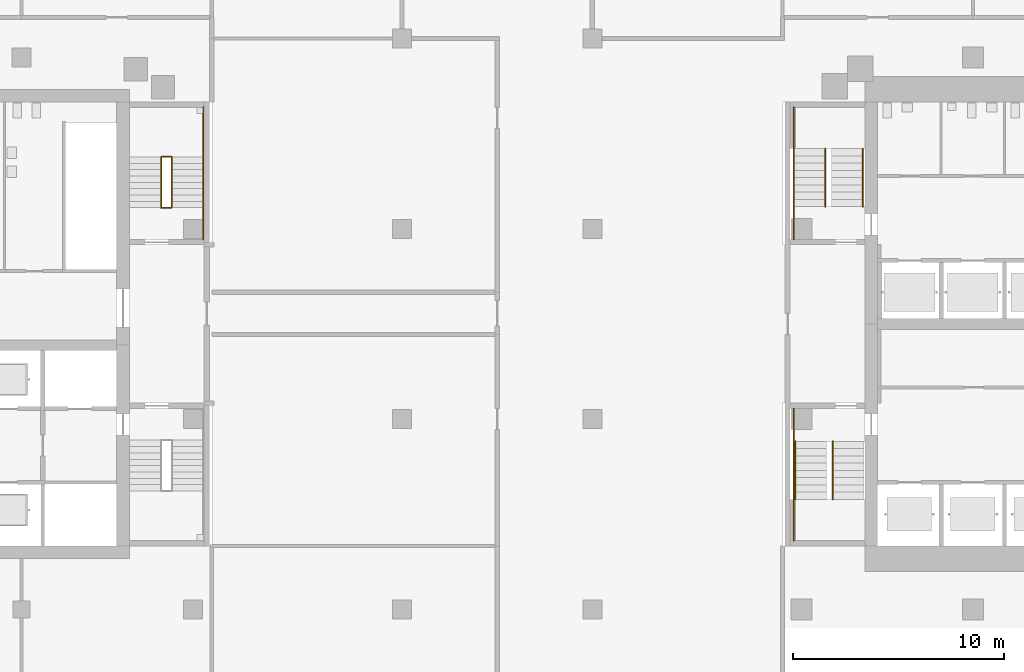
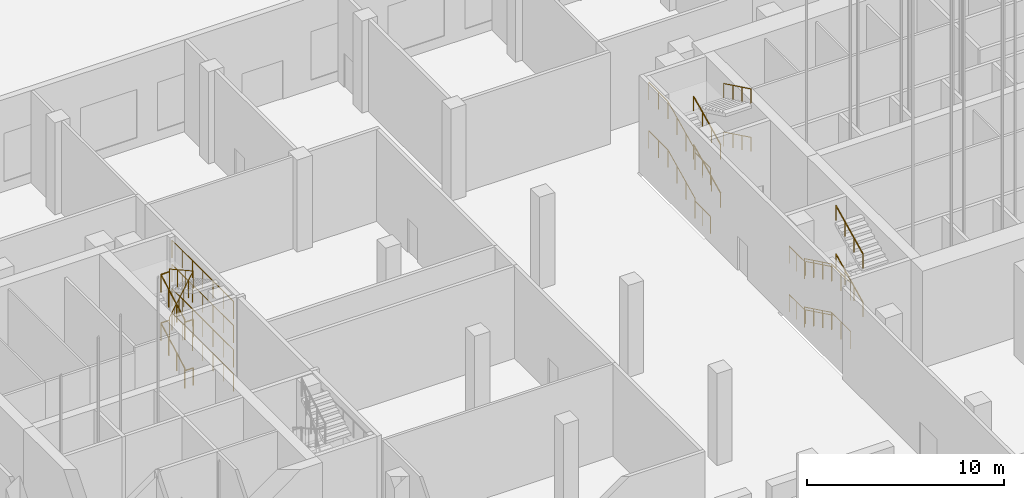
# One storey, part 49 of 55: 24 railings, 2 elements without a shape of their own.
"""IFC4 building model written with IfcOpenShell, lengths in metres."""

import ifcopenshell
import ifcopenshell.guid

model = None  # the IFC model being written
_history = None  # IfcOwnerHistory: only IFC2X3 demands one
_inside = {}  # id of a spatial element -> (the spatial element, [elements in it])
_under = {}  # id of a project, library or spatial element -> (it, [spatial elements below it])
_declared = {}  # id of a project -> (the project, [libraries it declares])
_typed = {}  # id of a type object -> (the type object, [elements of that type])
_made_of = {}  # id of a material, layer set ... -> (it, [elements and type objects made of it])


def new_model(schema):
    """Start an empty IFC model of exactly this schema.

    Asked for "IFC4X3", IfcOpenShell would pick the latest addendum, in which some entities
    have other attributes; the version numbers below select the first issue.
    IFC2X3 requires an IfcOwnerHistory on every rooted entity: one is made here for all.
    """
    global model, _history
    if schema == "IFC4X3":
        model = ifcopenshell.file(schema_version=(4, 3, 0, 0))
    else:
        model = ifcopenshell.file(schema=schema)
    _inside.clear()
    _under.clear()
    _declared.clear()
    _typed.clear()
    _made_of.clear()
    _history = None
    if model.schema == "IFC2X3":
        org = make("IfcOrganization", Name="unknown")
        user = make(
            "IfcPersonAndOrganization",
            ThePerson=make("IfcPerson", FamilyName="unknown"),
            TheOrganization=org,
        )
        app = make(
            "IfcApplication",
            ApplicationDeveloper=org,
            Version="unknown",
            ApplicationFullName="unknown",
            ApplicationIdentifier="unknown",
        )
        _history = make(
            "IfcOwnerHistory",
            OwningUser=user,
            OwningApplication=app,
            ChangeAction="ADDED",
            CreationDate=0,
        )
    return model


def make(cls, **values):
    """One entity of the class cls with the attributes given. An attribute that is None is left unset."""
    return model.create_entity(
        cls, **{name: value for name, value in values.items() if value is not None}
    )


def rooted(cls, **values):
    """An entity with a GlobalId (a new one), such as an element, a storey or a relation."""
    return make(cls, GlobalId=ifcopenshell.guid.new(), OwnerHistory=_history, **values)


def si_unit(unit_type, name, prefix=None):
    """IfcSIUnit, for example si_unit("LENGTHUNIT", "METRE", prefix="MILLI")."""
    return make("IfcSIUnit", UnitType=unit_type, Prefix=prefix, Name=name)


def assignment(units):
    """IfcUnitAssignment: the units of a project."""
    return None if units is None else make("IfcUnitAssignment", Units=units)


def point(xyz):
    """IfcCartesianPoint."""
    return None if xyz is None else make("IfcCartesianPoint", Coordinates=xyz)


def direction(xyz):
    """IfcDirection."""
    return None if xyz is None else make("IfcDirection", DirectionRatios=xyz)


def frame(location, z_axis=None, x_axis=None):
    """IfcAxis2Placement3D, a coordinate frame: its origin and axes. An axis left out is left unset."""
    return make(
        "IfcAxis2Placement3D",
        Location=point(location),
        Axis=direction(z_axis),
        RefDirection=direction(x_axis),
    )


def frame_2d(location, x_axis=None):
    """IfcAxis2Placement2D, a coordinate frame in the plane: its origin and x axis."""
    return make(
        "IfcAxis2Placement2D", Location=point(location), RefDirection=direction(x_axis)
    )


def origin():
    """The frame at (0, 0, 0) with its axes left unset."""
    return frame((0.0, 0.0, 0.0))


def origin_2d():
    """The frame at (0, 0) in the plane with its x axis left unset."""
    return frame_2d((0.0, 0.0))


def place(relative_to, where):
    """IfcLocalPlacement: puts the frame where relative to a parent placement (None: the world)."""
    return make(
        "IfcLocalPlacement", PlacementRelTo=relative_to, RelativePlacement=where
    )


def context(
    kind, dimensions, precision=None, world=None, true_north=None, identifier=None
):
    """IfcGeometricRepresentationContext, for example the 3D "Model" context."""
    return make(
        "IfcGeometricRepresentationContext",
        ContextIdentifier=identifier,
        ContextType=kind,
        CoordinateSpaceDimension=dimensions,
        Precision=precision,
        WorldCoordinateSystem=world,
        TrueNorth=true_north,
    )


def subcontext(parent, identifier, kind, view, scale=None):
    """IfcGeometricRepresentationSubContext, for example "Body" below "Model"."""
    return make(
        "IfcGeometricRepresentationSubContext",
        ContextIdentifier=identifier,
        ContextType=kind,
        ParentContext=parent,
        TargetScale=scale,
        TargetView=view,
    )


def project(units=None, contexts=None):
    """IfcProject with its units and contexts."""
    return rooted(
        "IfcProject",
        Name="project",
        RepresentationContexts=contexts,
        UnitsInContext=assignment(units),
    )


def spatial(cls, under=None, at=None, **own):
    """A site, building, storey or space (cls), placed at a placement, below another one or the project."""
    s = rooted(cls, ObjectPlacement=at, **own)
    if under is not None:
        _under.setdefault(under.id(), (under, []))[1].append(s)
    return s


def profile(cls, at=None, kind="AREA", **sizes):
    """A parametric profile (cls). Its sizes go by their IFC names, for example OverallWidth=200.0."""
    return make(cls, ProfileType=kind, Position=at, **sizes)


def circle(**sizes):
    """IfcCircleProfileDef."""
    return profile("IfcCircleProfileDef", **sizes)


def extrude(swept, where, along, depth):
    """IfcExtrudedAreaSolid: the profile swept, set in the frame where, extruded along a direction by depth."""
    return make(
        "IfcExtrudedAreaSolid",
        SweptArea=swept,
        Position=where,
        ExtrudedDirection=direction(along),
        Depth=depth,
    )


def shape(context_of_items, identifier, shape_type, items):
    """IfcShapeRepresentation: the items that make up one representation, for example the "Body"."""
    return make(
        "IfcShapeRepresentation",
        ContextOfItems=context_of_items,
        RepresentationIdentifier=identifier,
        RepresentationType=shape_type,
        Items=items,
    )


def material(Name=None, Category=None):
    """IfcMaterial."""
    return make("IfcMaterial", Name=Name, Category=Category)


def made_of(thing, what):
    """Note that an element or type object is made of a material, layer set ...; save() writes the relation."""
    if what is not None:
        _made_of.setdefault(what.id(), (what, []))[1].append(thing)
    return thing


def type_object(cls, material=None, **own):
    """A type object (cls), such as IfcWallType, which elements share."""
    return made_of(rooted(cls, **own), material)


def element(
    cls,
    number,
    at=None,
    inside=None,
    cuts=None,
    type_object=None,
    material=None,
    context=None,
    identifier="Body",
    shape_type=None,
    held_by="IfcProductDefinitionShape",
    body=None,
    shapes=None,
    **own,
):
    """One element of the class cls, such as IfcWall. Its Tag is "e" and its number.

    at: its placement. inside: the storey or other place that contains it. cuts: it is an
    opening in that element (IfcRelVoidsElement). A single representation is given by context,
    identifier, shape_type and body (its items); several are given by shapes. held_by: the class
    of the entity that holds the representations. save() writes the other relations.
    """
    e = rooted(cls, Tag="e%d" % number, ObjectPlacement=at, **own)
    if body is not None:
        shapes = [shape(context, identifier, shape_type, body)]
    if shapes is not None:
        e.Representation = make(held_by, Representations=shapes)
    if inside is not None:
        _inside.setdefault(inside.id(), (inside, []))[1].append(e)
    if cuts is not None:
        rooted(
            "IfcRelVoidsElement", RelatingBuildingElement=cuts, RelatedOpeningElement=e
        )
    if type_object is not None:
        _typed.setdefault(type_object.id(), (type_object, []))[1].append(e)
    return made_of(e, material)


def aggregate(whole, parts):
    """IfcRelAggregates: a whole, such as a stair, and the parts it consists of."""
    return rooted("IfcRelAggregates", RelatingObject=whole, RelatedObjects=parts)


def save(model, path):
    """Write the relations noted so far, then the file.

    IfcRelAggregates (storeys below a building ...), IfcRelContainedInSpatialStructure (elements
    in a storey), IfcRelDefinesByType, IfcRelAssociatesMaterial and IfcRelDeclares: one each for
    every whole, place, type object, material and project.
    """
    for whole, parts in _under.values():
        aggregate(whole, parts)
    for where, things in _inside.values():
        rooted(
            "IfcRelContainedInSpatialStructure",
            RelatedElements=things,
            RelatingStructure=where,
        )
    for kind, things in _typed.values():
        rooted("IfcRelDefinesByType", RelatedObjects=things, RelatingType=kind)
    for what, things in _made_of.values():
        rooted("IfcRelAssociatesMaterial", RelatedObjects=things, RelatingMaterial=what)
    for by, libraries in _declared.values():
        rooted("IfcRelDeclares", RelatingContext=by, RelatedDefinitions=libraries)
    model.write(path)


model = new_model("IFC4")

# Units and contexts
model_context = context("Model", 3, precision=1e-05, world=origin(), true_north=direction((0.0, 1.0)))
body_context = subcontext(model_context, "Body", "Model", "MODEL_VIEW")
ifc_project = project(units=[si_unit("LENGTHUNIT", "METRE"), si_unit("AREAUNIT", "SQUARE_METRE"), si_unit("VOLUMEUNIT", "CUBIC_METRE"), si_unit("PLANEANGLEUNIT", "RADIAN"), si_unit("MASSUNIT", "GRAM", prefix="KILO")], contexts=[model_context])

# Site, building, storey
site_placement = place(None, origin())
site = spatial("IfcSite", under=ifc_project, at=site_placement, CompositionType="ELEMENT")
building_placement = place(site_placement, origin())
building = spatial("IfcBuilding", under=site, at=building_placement, Name="Cinnabar Reach Civic Tower", CompositionType="ELEMENT")
storey_placement = place(building_placement, origin())
storey = spatial("IfcBuildingStorey", under=building, at=storey_placement, Name="L00", CompositionType="ELEMENT", Elevation=0.0)

# Stair, railings
ifc_material_1 = material(Name="Concrete C40/50", Category="concrete")
stair_type = type_object("IfcStairType", Name="T1 Exit stair, double return", PredefinedType="DOUBLE_RETURN_STAIR", material=ifc_material_1)
stair_1_placement = place(storey_placement, origin())
stair_1 = element("IfcStair", 1, at=stair_1_placement, inside=storey, type_object=stair_type, Name="Stair T1-S1", PredefinedType="DOUBLE_RETURN_STAIR")
ifc_material_2 = material(Name="Stainless steel tube", Category="steel")
railing_type_1 = type_object("IfcRailingType", Name="T1 Stair handrail, stainless tube 48", PredefinedType="HANDRAIL", material=ifc_material_2)
railing_1_placement = place(storey_placement, frame((0.6, 25.95, 0.1667)))
railing_1 = element("IfcRailing", 2, at=railing_1_placement, type_object=railing_type_1, Name="T1-S1 handrail 1", PredefinedType="HANDRAIL", context=body_context, shape_type="SweptSolid", body=[
    extrude(circle(Radius=0.024, at=origin_2d()), frame((0.0, 0.0, 0.876), z_axis=(0.0, -0.899506318835, 0.43690775042), x_axis=(1.0, 0.0, 0.0)), (0.0, 0.0, 1.0), 3.0517),
    extrude(circle(Radius=0.021, at=origin_2d()), origin(), (0.0, 0.0, 1.0), 0.852),
    extrude(circle(Radius=0.021, at=origin_2d()), frame((0.0, -0.915, 0.4444)), (0.0, 0.0, 1.0), 0.852),
    extrude(circle(Radius=0.021, at=origin_2d()), frame((0.0, -1.83, 0.8889)), (0.0, 0.0, 1.0), 0.852),
    extrude(circle(Radius=0.021, at=origin_2d()), frame((0.0, -2.745, 1.3333)), (0.0, 0.0, 1.0), 0.852),
])
railing_2_placement = place(storey_placement, frame((2.375, 23.205, 1.6667)))
railing_2 = element("IfcRailing", 3, at=railing_2_placement, type_object=railing_type_1, Name="T1-S1 handrail 2", PredefinedType="HANDRAIL", context=body_context, shape_type="SweptSolid", body=[
    extrude(circle(Radius=0.024, at=origin_2d()), frame((0.0, 0.0, 0.876), z_axis=(0.0, 0.899506318835, 0.43690775042), x_axis=(-1.0, 0.0, 0.0)), (0.0, 0.0, 1.0), 3.0517),
    extrude(circle(Radius=0.021, at=origin_2d()), origin(), (0.0, 0.0, 1.0), 0.852),
    extrude(circle(Radius=0.021, at=origin_2d()), frame((0.0, 0.915, 0.4444)), (0.0, 0.0, 1.0), 0.852),
    extrude(circle(Radius=0.021, at=origin_2d()), frame((0.0, 1.83, 0.8889)), (0.0, 0.0, 1.0), 0.852),
    extrude(circle(Radius=0.021, at=origin_2d()), frame((0.0, 2.745, 1.3333)), (0.0, 0.0, 1.0), 0.852),
])
railing_3_placement = place(storey_placement, frame((0.6, 25.95, 3.1667)))
railing_3 = element("IfcRailing", 4, at=railing_3_placement, type_object=railing_type_1, Name="T1-S1 handrail 3", PredefinedType="HANDRAIL", context=body_context, shape_type="SweptSolid", body=[
    extrude(circle(Radius=0.024, at=origin_2d()), frame((0.0, 0.0, 0.876), z_axis=(0.0, -0.899506318835, 0.43690775042), x_axis=(1.0, 0.0, 0.0)), (0.0, 0.0, 1.0), 3.0517),
    extrude(circle(Radius=0.021, at=origin_2d()), origin(), (0.0, 0.0, 1.0), 0.852),
    extrude(circle(Radius=0.021, at=origin_2d()), frame((0.0, -0.915, 0.4444)), (0.0, 0.0, 1.0), 0.852),
    extrude(circle(Radius=0.021, at=origin_2d()), frame((0.0, -1.83, 0.8889)), (0.0, 0.0, 1.0), 0.852),
    extrude(circle(Radius=0.021, at=origin_2d()), frame((0.0, -2.745, 1.3333)), (0.0, 0.0, 1.0), 0.852),
])
railing_4_placement = place(storey_placement, frame((2.375, 23.205, 4.6667)))
railing_4 = element("IfcRailing", 5, at=railing_4_placement, type_object=railing_type_1, Name="T1-S1 handrail 4", PredefinedType="HANDRAIL", context=body_context, shape_type="SweptSolid", body=[
    extrude(circle(Radius=0.024, at=origin_2d()), frame((0.0, 0.0, 0.876), z_axis=(0.0, 0.899506318835, 0.43690775042), x_axis=(-1.0, 0.0, 0.0)), (0.0, 0.0, 1.0), 3.0517),
    extrude(circle(Radius=0.021, at=origin_2d()), origin(), (0.0, 0.0, 1.0), 0.852),
    extrude(circle(Radius=0.021, at=origin_2d()), frame((0.0, 0.915, 0.4444)), (0.0, 0.0, 1.0), 0.852),
    extrude(circle(Radius=0.021, at=origin_2d()), frame((0.0, 1.83, 0.8889)), (0.0, 0.0, 1.0), 0.852),
    extrude(circle(Radius=0.021, at=origin_2d()), frame((0.0, 2.745, 1.3333)), (0.0, 0.0, 1.0), 0.852),
])

stair_2_placement = place(storey_placement, origin())
stair_2 = element("IfcStair", 6, at=stair_2_placement, inside=storey, type_object=stair_type, Name="Stair T1-S2", PredefinedType="DOUBLE_RETURN_STAIR")
railing_5_placement = place(storey_placement, frame((2.025, 37.05, 0.1667)))
railing_5 = element("IfcRailing", 7, at=railing_5_placement, type_object=railing_type_1, Name="T1-S2 handrail 1", PredefinedType="HANDRAIL", context=body_context, shape_type="SweptSolid", body=[
    extrude(circle(Radius=0.024, at=origin_2d()), frame((0.0, 0.0, 0.876), z_axis=(0.0, 0.899506318835, 0.43690775042), x_axis=(-1.0, 0.0, 0.0)), (0.0, 0.0, 1.0), 3.0517),
    extrude(circle(Radius=0.021, at=origin_2d()), origin(), (0.0, 0.0, 1.0), 0.852),
    extrude(circle(Radius=0.021, at=origin_2d()), frame((0.0, 0.915, 0.4444)), (0.0, 0.0, 1.0), 0.852),
    extrude(circle(Radius=0.021, at=origin_2d()), frame((0.0, 1.83, 0.8889)), (0.0, 0.0, 1.0), 0.852),
    extrude(circle(Radius=0.021, at=origin_2d()), frame((0.0, 2.745, 1.3333)), (0.0, 0.0, 1.0), 0.852),
])
railing_6_placement = place(storey_placement, frame((3.8, 39.795, 1.6667)))
railing_6 = element("IfcRailing", 8, at=railing_6_placement, type_object=railing_type_1, Name="T1-S2 handrail 2", PredefinedType="HANDRAIL", context=body_context, shape_type="SweptSolid", body=[
    extrude(circle(Radius=0.024, at=origin_2d()), frame((0.0, 0.0, 0.876), z_axis=(0.0, -0.899506318835, 0.43690775042), x_axis=(1.0, 0.0, 0.0)), (0.0, 0.0, 1.0), 3.0517),
    extrude(circle(Radius=0.021, at=origin_2d()), origin(), (0.0, 0.0, 1.0), 0.852),
    extrude(circle(Radius=0.021, at=origin_2d()), frame((0.0, -0.915, 0.4444)), (0.0, 0.0, 1.0), 0.852),
    extrude(circle(Radius=0.021, at=origin_2d()), frame((0.0, -1.83, 0.8889)), (0.0, 0.0, 1.0), 0.852),
    extrude(circle(Radius=0.021, at=origin_2d()), frame((0.0, -2.745, 1.3333)), (0.0, 0.0, 1.0), 0.852),
])
railing_7_placement = place(storey_placement, frame((2.025, 37.05, 3.1667)))
railing_7 = element("IfcRailing", 9, at=railing_7_placement, type_object=railing_type_1, Name="T1-S2 handrail 3", PredefinedType="HANDRAIL", context=body_context, shape_type="SweptSolid", body=[
    extrude(circle(Radius=0.024, at=origin_2d()), frame((0.0, 0.0, 0.876), z_axis=(0.0, 0.899506318835, 0.43690775042), x_axis=(-1.0, 0.0, 0.0)), (0.0, 0.0, 1.0), 3.0517),
    extrude(circle(Radius=0.021, at=origin_2d()), origin(), (0.0, 0.0, 1.0), 0.852),
    extrude(circle(Radius=0.021, at=origin_2d()), frame((0.0, 0.915, 0.4444)), (0.0, 0.0, 1.0), 0.852),
    extrude(circle(Radius=0.021, at=origin_2d()), frame((0.0, 1.83, 0.8889)), (0.0, 0.0, 1.0), 0.852),
    extrude(circle(Radius=0.021, at=origin_2d()), frame((0.0, 2.745, 1.3333)), (0.0, 0.0, 1.0), 0.852),
])
railing_8_placement = place(storey_placement, frame((3.8, 39.795, 4.6667)))
railing_8 = element("IfcRailing", 10, at=railing_8_placement, type_object=railing_type_1, Name="T1-S2 handrail 4", PredefinedType="HANDRAIL", context=body_context, shape_type="SweptSolid", body=[
    extrude(circle(Radius=0.024, at=origin_2d()), frame((0.0, 0.0, 0.876), z_axis=(0.0, -0.899506318835, 0.43690775042), x_axis=(1.0, 0.0, 0.0)), (0.0, 0.0, 1.0), 3.0517),
    extrude(circle(Radius=0.021, at=origin_2d()), origin(), (0.0, 0.0, 1.0), 0.852),
    extrude(circle(Radius=0.021, at=origin_2d()), frame((0.0, -0.915, 0.4444)), (0.0, 0.0, 1.0), 0.852),
    extrude(circle(Radius=0.021, at=origin_2d()), frame((0.0, -1.83, 0.8889)), (0.0, 0.0, 1.0), 0.852),
    extrude(circle(Radius=0.021, at=origin_2d()), frame((0.0, -2.745, 1.3333)), (0.0, 0.0, 1.0), 0.852),
])

# Railing
ifc_material_3 = material(Name="Stainless steel and laminated glass", Category="steel")
railing_type_2 = type_object("IfcRailingType", Name="T1 stair guard, stainless balustrade 1100", PredefinedType="GUARDRAIL", material=ifc_material_3)
railing_9_placement = place(storey_placement, frame((0.53, 27.5, 0.0)))
railing_9 = element("IfcRailing", 11, at=railing_9_placement, type_object=railing_type_2, Name="T1-S1 guard 1", PredefinedType="GUARDRAIL", context=body_context, shape_type="SweptSolid", body=[
    extrude(circle(Radius=0.024, at=origin_2d()), frame((0.0, 0.0, 1.076), z_axis=(0.0, -1.0, 0.0), x_axis=(1.0, 0.0, 0.0)), (0.0, 0.0, 1.0), 1.55),
    extrude(circle(Radius=0.024, at=origin_2d()), frame((0.0, -1.55, 1.076), z_axis=(0.0, 0.0, 1.0), x_axis=(1.0, 0.0, 0.0)), (0.0, 0.0, 1.0), 0.1667),
    extrude(circle(Radius=0.024, at=origin_2d()), frame((0.0, -1.55, 1.2427), z_axis=(0.0, -0.899506318835, 0.43690775042), x_axis=(1.0, 0.0, 0.0)), (0.0, 0.0, 1.0), 3.0517),
    extrude(circle(Radius=0.024, at=origin_2d()), frame((0.0, -4.295, 2.576), z_axis=(0.0, -1.0, 0.0), x_axis=(1.0, 0.0, 0.0)), (0.0, 0.0, 1.0), 1.955),
    extrude(circle(Radius=0.021, at=origin_2d()), origin(), (0.0, 0.0, 1.0), 1.052),
    extrude(circle(Radius=0.021, at=origin_2d()), frame((0.0, -0.775, 0.0)), (0.0, 0.0, 1.0), 1.052),
    extrude(circle(Radius=0.021, at=origin_2d()), frame((0.0, -1.55, 0.0)), (0.0, 0.0, 1.0), 1.052),
    extrude(circle(Radius=0.021, at=origin_2d()), frame((0.0, -1.55, 0.1667)), (0.0, 0.0, 1.0), 1.052),
    extrude(circle(Radius=0.021, at=origin_2d()), frame((0.0, -2.465, 0.6111)), (0.0, 0.0, 1.0), 1.052),
    extrude(circle(Radius=0.021, at=origin_2d()), frame((0.0, -3.38, 1.0556)), (0.0, 0.0, 1.0), 1.052),
    extrude(circle(Radius=0.021, at=origin_2d()), frame((0.0, -4.295, 1.5)), (0.0, 0.0, 1.0), 1.052),
    extrude(circle(Radius=0.021, at=origin_2d()), frame((0.0, -5.2725, 1.5)), (0.0, 0.0, 1.0), 1.052),
    extrude(circle(Radius=0.021, at=origin_2d()), frame((0.0, -6.25, 1.5)), (0.0, 0.0, 1.0), 1.052),
])

railing_10_placement = place(storey_placement, frame((0.53, 27.5, 3.0)))
railing_10 = element("IfcRailing", 12, at=railing_10_placement, type_object=railing_type_2, Name="T1-S1 guard 2", PredefinedType="GUARDRAIL", context=body_context, shape_type="SweptSolid", body=[
    extrude(circle(Radius=0.024, at=origin_2d()), frame((0.0, 0.0, 1.076), z_axis=(0.0, -1.0, 0.0), x_axis=(1.0, 0.0, 0.0)), (0.0, 0.0, 1.0), 1.55),
    extrude(circle(Radius=0.024, at=origin_2d()), frame((0.0, -1.55, 1.076), z_axis=(0.0, 0.0, 1.0), x_axis=(1.0, 0.0, 0.0)), (0.0, 0.0, 1.0), 0.1667),
    extrude(circle(Radius=0.024, at=origin_2d()), frame((0.0, -1.55, 1.2427), z_axis=(0.0, -0.899506318835, 0.43690775042), x_axis=(1.0, 0.0, 0.0)), (0.0, 0.0, 1.0), 3.0517),
    extrude(circle(Radius=0.024, at=origin_2d()), frame((0.0, -4.295, 2.576), z_axis=(0.0, -1.0, 0.0), x_axis=(1.0, 0.0, 0.0)), (0.0, 0.0, 1.0), 1.955),
    extrude(circle(Radius=0.021, at=origin_2d()), origin(), (0.0, 0.0, 1.0), 1.052),
    extrude(circle(Radius=0.021, at=origin_2d()), frame((0.0, -0.775, 0.0)), (0.0, 0.0, 1.0), 1.052),
    extrude(circle(Radius=0.021, at=origin_2d()), frame((0.0, -1.55, 0.0)), (0.0, 0.0, 1.0), 1.052),
    extrude(circle(Radius=0.021, at=origin_2d()), frame((0.0, -1.55, 0.1667)), (0.0, 0.0, 1.0), 1.052),
    extrude(circle(Radius=0.021, at=origin_2d()), frame((0.0, -2.465, 0.6111)), (0.0, 0.0, 1.0), 1.052),
    extrude(circle(Radius=0.021, at=origin_2d()), frame((0.0, -3.38, 1.0556)), (0.0, 0.0, 1.0), 1.052),
    extrude(circle(Radius=0.021, at=origin_2d()), frame((0.0, -4.295, 1.5)), (0.0, 0.0, 1.0), 1.052),
    extrude(circle(Radius=0.021, at=origin_2d()), frame((0.0, -5.2725, 1.5)), (0.0, 0.0, 1.0), 1.052),
    extrude(circle(Radius=0.021, at=origin_2d()), frame((0.0, -6.25, 1.5)), (0.0, 0.0, 1.0), 1.052),
])

aggregate(stair_1, [railing_1, railing_2, railing_3, railing_4, railing_9, railing_10])

railing_11_placement = place(storey_placement, frame((0.53, 35.5, 0.0)))
railing_11 = element("IfcRailing", 13, at=railing_11_placement, type_object=railing_type_2, Name="T1-S2 guard 1", PredefinedType="GUARDRAIL", context=body_context, shape_type="SweptSolid", body=[
    extrude(circle(Radius=0.024, at=origin_2d()), frame((0.0, 0.0, 1.076), z_axis=(0.0, 1.0, 0.0), x_axis=(-1.0, 0.0, 0.0)), (0.0, 0.0, 1.0), 1.55),
    extrude(circle(Radius=0.024, at=origin_2d()), frame((0.0, 1.55, 1.076), z_axis=(0.0, 0.0, 1.0), x_axis=(1.0, 0.0, 0.0)), (0.0, 0.0, 1.0), 0.1667),
    extrude(circle(Radius=0.024, at=origin_2d()), frame((0.0, 1.55, 1.2427), z_axis=(0.0, 0.899506318835, 0.43690775042), x_axis=(-1.0, 0.0, 0.0)), (0.0, 0.0, 1.0), 3.0517),
    extrude(circle(Radius=0.024, at=origin_2d()), frame((0.0, 4.295, 2.576), z_axis=(0.0, 1.0, 0.0), x_axis=(-1.0, 0.0, 0.0)), (0.0, 0.0, 1.0), 1.955),
    extrude(circle(Radius=0.021, at=origin_2d()), origin(), (0.0, 0.0, 1.0), 1.052),
    extrude(circle(Radius=0.021, at=origin_2d()), frame((0.0, 0.775, 0.0)), (0.0, 0.0, 1.0), 1.052),
    extrude(circle(Radius=0.021, at=origin_2d()), frame((0.0, 1.55, 0.0)), (0.0, 0.0, 1.0), 1.052),
    extrude(circle(Radius=0.021, at=origin_2d()), frame((0.0, 1.55, 0.1667)), (0.0, 0.0, 1.0), 1.052),
    extrude(circle(Radius=0.021, at=origin_2d()), frame((0.0, 2.465, 0.6111)), (0.0, 0.0, 1.0), 1.052),
    extrude(circle(Radius=0.021, at=origin_2d()), frame((0.0, 3.38, 1.0556)), (0.0, 0.0, 1.0), 1.052),
    extrude(circle(Radius=0.021, at=origin_2d()), frame((0.0, 4.295, 1.5)), (0.0, 0.0, 1.0), 1.052),
    extrude(circle(Radius=0.021, at=origin_2d()), frame((0.0, 5.2725, 1.5)), (0.0, 0.0, 1.0), 1.052),
    extrude(circle(Radius=0.021, at=origin_2d()), frame((0.0, 6.25, 1.5)), (0.0, 0.0, 1.0), 1.052),
])

railing_12_placement = place(storey_placement, frame((0.53, 35.5, 3.0)))
railing_12 = element("IfcRailing", 14, at=railing_12_placement, type_object=railing_type_2, Name="T1-S2 guard 2", PredefinedType="GUARDRAIL", context=body_context, shape_type="SweptSolid", body=[
    extrude(circle(Radius=0.024, at=origin_2d()), frame((0.0, 0.0, 1.076), z_axis=(0.0, 1.0, 0.0), x_axis=(-1.0, 0.0, 0.0)), (0.0, 0.0, 1.0), 1.55),
    extrude(circle(Radius=0.024, at=origin_2d()), frame((0.0, 1.55, 1.076), z_axis=(0.0, 0.0, 1.0), x_axis=(1.0, 0.0, 0.0)), (0.0, 0.0, 1.0), 0.1667),
    extrude(circle(Radius=0.024, at=origin_2d()), frame((0.0, 1.55, 1.2427), z_axis=(0.0, 0.899506318835, 0.43690775042), x_axis=(-1.0, 0.0, 0.0)), (0.0, 0.0, 1.0), 3.0517),
    extrude(circle(Radius=0.024, at=origin_2d()), frame((0.0, 4.295, 2.576), z_axis=(0.0, 1.0, 0.0), x_axis=(-1.0, 0.0, 0.0)), (0.0, 0.0, 1.0), 1.955),
    extrude(circle(Radius=0.021, at=origin_2d()), origin(), (0.0, 0.0, 1.0), 1.052),
    extrude(circle(Radius=0.021, at=origin_2d()), frame((0.0, 0.775, 0.0)), (0.0, 0.0, 1.0), 1.052),
    extrude(circle(Radius=0.021, at=origin_2d()), frame((0.0, 1.55, 0.0)), (0.0, 0.0, 1.0), 1.052),
    extrude(circle(Radius=0.021, at=origin_2d()), frame((0.0, 1.55, 0.1667)), (0.0, 0.0, 1.0), 1.052),
    extrude(circle(Radius=0.021, at=origin_2d()), frame((0.0, 2.465, 0.6111)), (0.0, 0.0, 1.0), 1.052),
    extrude(circle(Radius=0.021, at=origin_2d()), frame((0.0, 3.38, 1.0556)), (0.0, 0.0, 1.0), 1.052),
    extrude(circle(Radius=0.021, at=origin_2d()), frame((0.0, 4.295, 1.5)), (0.0, 0.0, 1.0), 1.052),
    extrude(circle(Radius=0.021, at=origin_2d()), frame((0.0, 5.2725, 1.5)), (0.0, 0.0, 1.0), 1.052),
    extrude(circle(Radius=0.021, at=origin_2d()), frame((0.0, 6.25, 1.5)), (0.0, 0.0, 1.0), 1.052),
])

aggregate(stair_2, [railing_5, railing_6, railing_7, railing_8, railing_11, railing_12])

# Railings
ifc_material_4 = material(Name="Stainless steel", Category="steel")
railing_type_3 = type_object("IfcRailingType", Name="T2 Stair guard 1100", PredefinedType="GUARDRAIL", material=ifc_material_4)
for number, where, name in (
    (15, (-27.4, 35.5, 0.0), "Stair guard 2"),
    (16, (-27.4, 35.5, 1.5), "Stair guard 2"),
    (17, (-27.4, 35.5, 4.5), "Stair guard 2"),
    (18, (-27.4, 35.5, 3.0), "Stair guard 2"),
):
    element("IfcRailing", number, at=place(storey_placement, frame(where)), inside=storey, type_object=railing_type_3, Name=name, PredefinedType="GUARDRAIL", context=body_context, shape_type="SweptSolid", body=[
        extrude(circle(Radius=0.024, at=origin_2d()), frame((0.0, 0.0, 1.076), z_axis=(0.0, 1.0, 0.0), x_axis=(-1.0, 0.0, 0.0)), (0.0, 0.0, 1.0), 6.25),
        extrude(circle(Radius=0.021, at=origin_2d()), origin(), (0.0, 0.0, 1.0), 1.052),
        extrude(circle(Radius=0.021, at=origin_2d()), frame((0.0, 1.0417, 0.0)), (0.0, 0.0, 1.0), 1.052),
        extrude(circle(Radius=0.021, at=origin_2d()), frame((0.0, 2.0833, 0.0)), (0.0, 0.0, 1.0), 1.052),
        extrude(circle(Radius=0.021, at=origin_2d()), frame((0.0, 3.125, 0.0)), (0.0, 0.0, 1.0), 1.052),
        extrude(circle(Radius=0.021, at=origin_2d()), frame((0.0, 4.1667, 0.0)), (0.0, 0.0, 1.0), 1.052),
        extrude(circle(Radius=0.021, at=origin_2d()), frame((0.0, 5.2083, 0.0)), (0.0, 0.0, 1.0), 1.052),
        extrude(circle(Radius=0.021, at=origin_2d()), frame((0.0, 6.25, 0.0)), (0.0, 0.0, 1.0), 1.052),
    ])
for number, where, name in (
    (19, (-29.4, 37.0, 0.0), "Stair guard 2"),
    (20, (-29.4, 39.4, 1.5), "Stair guard 2"),
):
    element("IfcRailing", number, at=place(storey_placement, frame(where)), inside=storey, type_object=railing_type_3, Name=name, PredefinedType="GUARDRAIL", context=body_context, shape_type="SweptSolid", body=[
        extrude(circle(Radius=0.024, at=origin_2d()), frame((0.0, 0.0, 1.076), z_axis=(1.0, 0.0, 0.0), x_axis=(0.0, 1.0, 0.0)), (0.0, 0.0, 1.0), 0.5),
        extrude(circle(Radius=0.021, at=origin_2d()), origin(), (0.0, 0.0, 1.0), 1.052),
        extrude(circle(Radius=0.021, at=origin_2d()), frame((0.5, 0.0, 0.0)), (0.0, 0.0, 1.0), 1.052),
    ])
railing_13_placement = place(storey_placement, frame((-29.4, 37.0, 0.1667)))
element("IfcRailing", 21, at=railing_13_placement, inside=storey, type_object=railing_type_3, Name="Stair guard 2", PredefinedType="GUARDRAIL", context=body_context, shape_type="SweptSolid", body=[
    extrude(circle(Radius=0.024, at=origin_2d()), frame((0.0, 0.0, 1.076), z_axis=(0.0, 0.874162430332, 0.485633653484), x_axis=(-1.0, 0.0, 0.0)), (0.0, 0.0, 1.0), 2.7455),
    extrude(circle(Radius=0.021, at=origin_2d()), origin(), (0.0, 0.0, 1.0), 1.052),
    extrude(circle(Radius=0.021, at=origin_2d()), frame((0.0, 0.8, 0.4444)), (0.0, 0.0, 1.0), 1.052),
    extrude(circle(Radius=0.021, at=origin_2d()), frame((0.0, 1.6, 0.8889)), (0.0, 0.0, 1.0), 1.052),
    extrude(circle(Radius=0.021, at=origin_2d()), frame((0.0, 2.4, 1.3333)), (0.0, 0.0, 1.0), 1.052),
])
railing_14_placement = place(storey_placement, frame((-28.9, 39.4, 1.6667)))
element("IfcRailing", 22, at=railing_14_placement, inside=storey, type_object=railing_type_3, Name="Stair guard 2", PredefinedType="GUARDRAIL", context=body_context, shape_type="SweptSolid", body=[
    extrude(circle(Radius=0.024, at=origin_2d()), frame((0.0, 0.0, 1.076), z_axis=(0.0, -0.484502680064, 0.874789776467), x_axis=(1.0, 0.0, 0.0)), (0.0, 0.0, 1.0), 4.9535),
    extrude(circle(Radius=0.021, at=origin_2d()), origin(), (0.0, 0.0, 1.0), 1.052),
    extrude(circle(Radius=0.021, at=origin_2d()), frame((0.0, -0.48, 0.8667)), (0.0, 0.0, 1.0), 1.052),
    extrude(circle(Radius=0.021, at=origin_2d()), frame((0.0, -0.96, 1.7333)), (0.0, 0.0, 1.0), 1.052),
    extrude(circle(Radius=0.021, at=origin_2d()), frame((0.0, -1.44, 2.6)), (0.0, 0.0, 1.0), 1.052),
    extrude(circle(Radius=0.021, at=origin_2d()), frame((0.0, -1.92, 3.4666)), (0.0, 0.0, 1.0), 1.052),
    extrude(circle(Radius=0.021, at=origin_2d()), frame((0.0, -2.4, 4.3333)), (0.0, 0.0, 1.0), 1.052),
])
for number, where, name in (
    (23, (-29.4, 37.0, 3.0), "Stair guard 2"),
    (24, (-29.4, 39.4, 4.5), "Stair guard 2"),
):
    element("IfcRailing", number, at=place(storey_placement, frame(where)), inside=storey, type_object=railing_type_3, Name=name, PredefinedType="GUARDRAIL", context=body_context, shape_type="SweptSolid", body=[
        extrude(circle(Radius=0.024, at=origin_2d()), frame((0.0, 0.0, 1.076), z_axis=(1.0, 0.0, 0.0), x_axis=(0.0, 1.0, 0.0)), (0.0, 0.0, 1.0), 0.5),
        extrude(circle(Radius=0.021, at=origin_2d()), origin(), (0.0, 0.0, 1.0), 1.052),
        extrude(circle(Radius=0.021, at=origin_2d()), frame((0.5, 0.0, 0.0)), (0.0, 0.0, 1.0), 1.052),
    ])
railing_15_placement = place(storey_placement, frame((-29.4, 37.0, 3.1667)))
element("IfcRailing", 25, at=railing_15_placement, inside=storey, type_object=railing_type_3, Name="Stair guard 2", PredefinedType="GUARDRAIL", context=body_context, shape_type="SweptSolid", body=[
    extrude(circle(Radius=0.024, at=origin_2d()), frame((0.0, 0.0, 1.076), z_axis=(0.0, 0.874162430332, 0.485633653484), x_axis=(-1.0, 0.0, 0.0)), (0.0, 0.0, 1.0), 2.7455),
    extrude(circle(Radius=0.021, at=origin_2d()), origin(), (0.0, 0.0, 1.0), 1.052),
    extrude(circle(Radius=0.021, at=origin_2d()), frame((0.0, 0.8, 0.4444)), (0.0, 0.0, 1.0), 1.052),
    extrude(circle(Radius=0.021, at=origin_2d()), frame((0.0, 1.6, 0.8889)), (0.0, 0.0, 1.0), 1.052),
    extrude(circle(Radius=0.021, at=origin_2d()), frame((0.0, 2.4, 1.3333)), (0.0, 0.0, 1.0), 1.052),
])
railing_16_placement = place(storey_placement, frame((-28.9, 39.4, 4.6667)))
element("IfcRailing", 26, at=railing_16_placement, inside=storey, type_object=railing_type_3, Name="Stair guard 2", PredefinedType="GUARDRAIL", context=body_context, shape_type="SweptSolid", body=[
    extrude(circle(Radius=0.024, at=origin_2d()), frame((0.0, 0.0, 1.076), z_axis=(0.0, -0.874162430332, 0.485633653484), x_axis=(1.0, 0.0, 0.0)), (0.0, 0.0, 1.0), 2.7455),
    extrude(circle(Radius=0.021, at=origin_2d()), origin(), (0.0, 0.0, 1.0), 1.052),
    extrude(circle(Radius=0.021, at=origin_2d()), frame((0.0, -0.8, 0.4444)), (0.0, 0.0, 1.0), 1.052),
    extrude(circle(Radius=0.021, at=origin_2d()), frame((0.0, -1.6, 0.8889)), (0.0, 0.0, 1.0), 1.052),
    extrude(circle(Radius=0.021, at=origin_2d()), frame((0.0, -2.4, 1.3333)), (0.0, 0.0, 1.0), 1.052),
])

save(model, "model.ifc")
